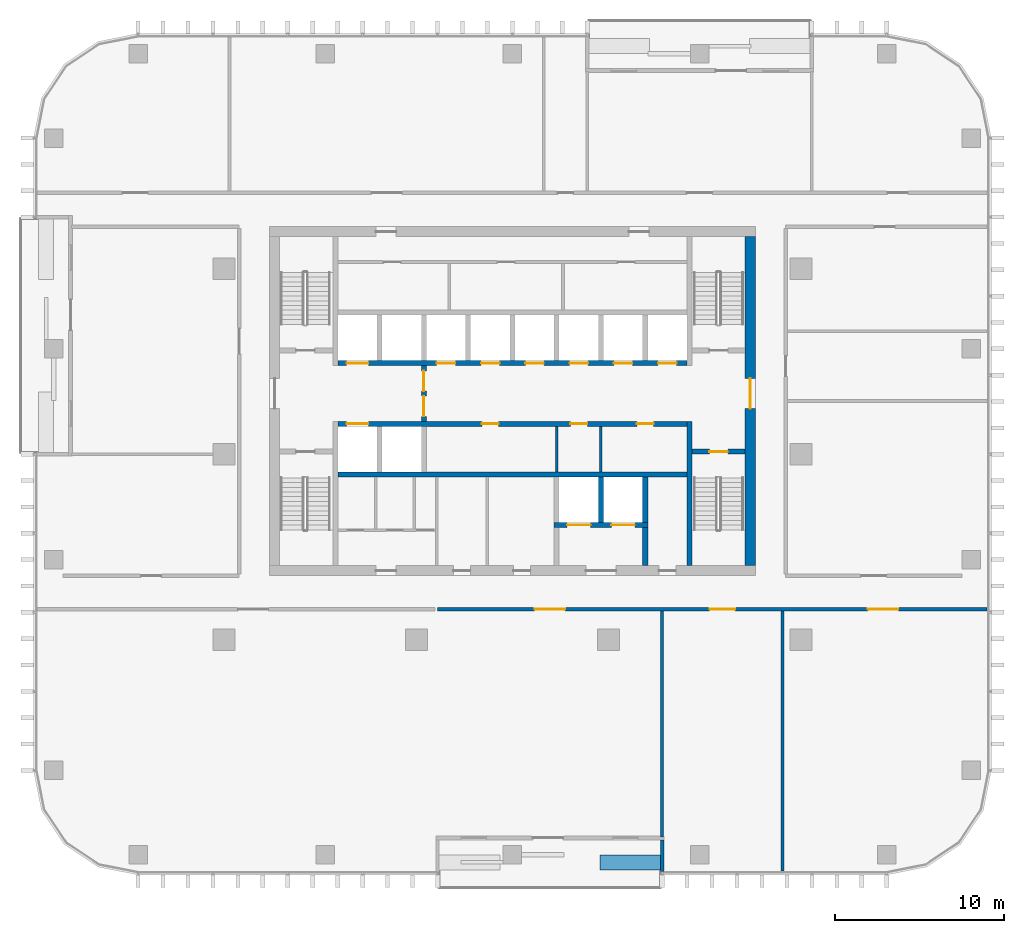
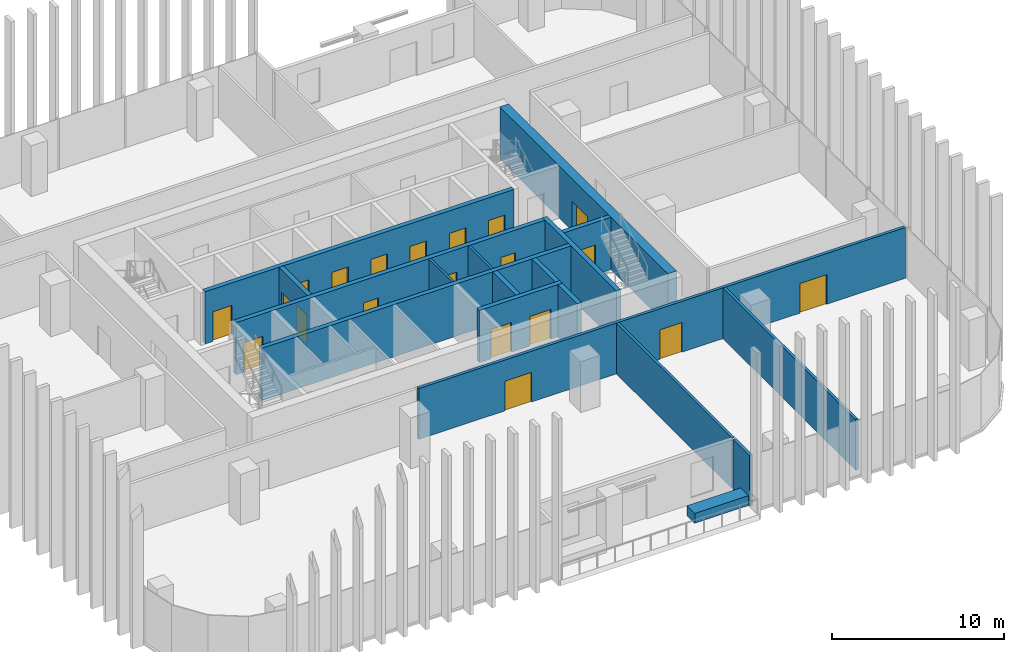
# One storey, part 8 of 16: 20 doors, 18 walls, 20 openings.
"""IFC4 building model written with IfcOpenShell, lengths in metres."""

from ifc_helpers import new_model, si_unit, direction, frame, frame_2d, origin, place, context, subcontext, project, spatial, rectangle, extrude, material, layer, layer_set, type_object, element, fill, save


model = new_model("IFC4")

# Units and contexts
model_context = context("Model", 3, precision=1e-05, world=origin(), true_north=direction((0.0, 1.0)))
body_context = subcontext(model_context, "Body", "Model", "MODEL_VIEW")
ifc_project = project(units=[si_unit("LENGTHUNIT", "METRE"), si_unit("AREAUNIT", "SQUARE_METRE"), si_unit("VOLUMEUNIT", "CUBIC_METRE"), si_unit("PLANEANGLEUNIT", "RADIAN"), si_unit("MASSUNIT", "GRAM", prefix="KILO")], contexts=[model_context])

# Site, building, storey
site_placement = place(None, origin())
site = spatial("IfcSite", under=ifc_project, at=site_placement, CompositionType="ELEMENT")
building_placement = place(site_placement, origin())
building = spatial("IfcBuilding", under=site, at=building_placement, Name="Mopane Tessera Tower", CompositionType="ELEMENT")
storey_placement = place(building_placement, frame((0.0, 0.0, 247.0)))
storey = spatial("IfcBuildingStorey", under=building, at=storey_placement, Name="L53", CompositionType="ELEMENT", Elevation=247.0)

# Walls
ifc_material_1 = material(Name="Fire-rated gypsum board partition")
ifc_layer_1 = layer(ifc_material_1, 0.14990234375)
ifc_layer_set_1 = layer_set([ifc_layer_1], Name="Fire-rated gypsum board partition")
wall_type_1 = type_object("IfcWallType", Name="Core room partition 150 mm", PredefinedType="PARTITIONING", material=ifc_layer_set_1)
for number, where, z_axis, x_axis, name in (
    (1, (2.625, -1.050048828125, 0.0), (0.0, 0.0, 1.0), (0.0, 1.0, 0.0), "L53 Room partition"),
    (2, (5.25, -1.050048828125, 0.0), (0.0, 0.0, 1.0), (0.0, 1.0, 0.0), "L53 Room partition"),
):
    element("IfcWall", number, at=place(storey_placement, frame(where, z_axis=z_axis, x_axis=x_axis)), inside=storey, type_object=wall_type_1, Name=name, PredefinedType="PARTITIONING", context=body_context, shape_type="SweptSolid", body=[
        extrude(rectangle(XDim=2.699951171875, YDim=0.14990234375, at=frame_2d((1.35009765625, 0.0))), origin(), (0.0, 0.0, 1.0), 3.699951171875),
    ])

# Wall, opening, door
ifc_material_2 = material(Name="Concrete C70/85", Category="concrete")
ifc_layer_2 = layer(ifc_material_2, 0.60009765625)
ifc_layer_set_2 = layer_set([ifc_layer_2], Name="Concrete C70/85")
wall_type_2 = type_object("IfcWallType", Name="Core shear wall 600 mm", PredefinedType="SHEAR", material=ifc_layer_set_2)
wall_1_placement = place(storey_placement, frame((14.10009765625, -6.60009765625, 0.0), z_axis=(0.0, 0.0, 1.0), x_axis=(0.0, 1.0, 0.0)))
wall_1 = element("IfcWall", 3, at=wall_1_placement, inside=storey, type_object=wall_type_2, Name="L53 Core wall east", PredefinedType="SHEAR", context=body_context, shape_type="SweptSolid", body=[
    extrude(rectangle(XDim=19.5, YDim=0.60009765625, at=frame_2d((9.75, 0.0))), origin(), (0.0, 0.0, 1.0), 3.699951171875),
])
opening_1_placement = place(wall_1_placement, frame((9.300048828125, 0.0, 0.0)))
opening_1 = element("IfcOpeningElement", 4, at=opening_1_placement, cuts=wall_1, Name="Opening SD2", PredefinedType="OPENING", context=body_context, shape_type="SweptSolid", body=[
    extrude(rectangle(XDim=1.800048828125, YDim=2.10009765625, at=frame_2d((0.89990234375, 1.050048828125))), frame((0.0, 0.31201171875, 0.0), z_axis=(0.0, -1.0, 0.0), x_axis=(1.0, 0.0, 0.0)), (0.0, 0.0, 1.0), 0.6240234375),
])
ifc_material_3 = material(Name="Steel fire door", Category="steel")
door_type_1 = type_object("IfcDoorType", Name="Core entrance double door 1800 x 2100", OperationType="DOUBLE_DOOR_SINGLE_SWING", PredefinedType="DOOR", material=ifc_material_3)
door_1_placement = place(opening_1_placement, origin())
door_1 = element("IfcDoor", 5, at=door_1_placement, inside=storey, type_object=door_type_1, Name="L53 Core entrance door east", OperationType="DOUBLE_DOOR_SINGLE_SWING", OverallHeight=2.10009765625, OverallWidth=1.800048828125, PredefinedType="DOOR", context=body_context, shape_type="SweptSolid", body=[
    extrude(rectangle(XDim=1.800048828125, YDim=2.10009765625, at=frame_2d((0.89990234375, 1.050048828125))), frame((0.0, 0.02490234375, 0.0), z_axis=(0.0, -1.0, 0.0), x_axis=(1.0, 0.0, 0.0)), (0.0, 0.0, 1.0), 0.050048828125),
])
fill(opening_1, door_1)

# Walls
ifc_material_4 = material(Name="Concrete C60/75", Category="concrete")
ifc_layer_3 = layer(ifc_material_4, 0.300048828125)
ifc_layer_set_3 = layer_set([ifc_layer_3], Name="Concrete C60/75")
wall_type_3 = type_object("IfcWallType", Name="Core spine wall 300 mm", PredefinedType="SHEAR", material=ifc_layer_set_3)
wall_2_placement = place(storey_placement, frame((10.5, -6.60009765625, 0.0), z_axis=(0.0, 0.0, 1.0), x_axis=(0.0, 1.0, 0.0)))
element("IfcWall", 6, at=wall_2_placement, inside=storey, type_object=wall_type_3, Name="L53 Core spine wall", PredefinedType="SHEAR", context=body_context, shape_type="SweptSolid", body=[
    extrude(rectangle(XDim=8.550048828125, YDim=0.300048828125, at=frame_2d((4.27490234375, 0.0))), origin(), (0.0, 0.0, 1.0), 3.699951171875),
])
ifc_material_5 = material(Name="Gypsum board on staggered steel studs, double layer each face, acoustic mineral wool infill", Category="steel")
ifc_layer_4 = layer(ifc_material_5, 0.175048828125)
ifc_layer_set_4 = layer_set([ifc_layer_4], Name="Gypsum board on staggered steel studs, double layer each face, acoustic mineral wool infill")
wall_type_4 = type_object("IfcWallType", Name="Gypsum board acoustic partition 175, rated EI 60", PredefinedType="PARTITIONING", material=ifc_layer_set_4)
wall_3_placement = place(storey_placement, frame((8.8798828125, -22.699951171875, 0.0), z_axis=(0.0, 0.0, 1.0), x_axis=(0.0, 1.0, 0.0)))
element("IfcWall", 7, at=wall_3_placement, inside=storey, type_object=wall_type_4, Name="Partition L53:014", PredefinedType="PARTITIONING", context=body_context, shape_type="SweptSolid", body=[
    extrude(rectangle(XDim=13.39990234375, YDim=0.175048828125, at=frame_2d((6.699951171875, 0.0))), origin(), (0.0, 0.0, 1.0), 3.60009765625),
])
wall_4_placement = place(storey_placement, frame((16.02001953125, -24.699951171875, 0.0), z_axis=(0.0, 0.0, 1.0), x_axis=(0.0, 1.0, 0.0)))
element("IfcWall", 8, at=wall_4_placement, inside=storey, type_object=wall_type_4, Name="Partition L53:015", PredefinedType="PARTITIONING", context=body_context, shape_type="SweptSolid", body=[
    extrude(rectangle(XDim=15.39990234375, YDim=0.175048828125, at=frame_2d((7.699951171875, 0.0))), origin(), (0.0, 0.0, 1.0), 3.60009765625),
])

# Wall, openings, doors
ifc_material_6 = material(Name="Gypsum board on steel studs, two layers each face, mineral wool infill", Category="steel")
ifc_layer_5 = layer(ifc_material_6, 0.199951171875)
ifc_layer_set_5 = layer_set([ifc_layer_5], Name="Gypsum board on steel studs, two layers each face, mineral wool infill")
wall_type_5 = type_object("IfcWallType", Name="Gypsum board corridor wall 200, rated EI 60", PredefinedType="PARTITIONING", material=ifc_layer_set_5)
wall_5_placement = place(storey_placement, frame((-4.43994140625, -9.199951171875, 0.0), z_axis=(0.0, 0.0, 1.0), x_axis=(1.0, 0.0, 0.0)))
wall_5 = element("IfcWall", 9, at=wall_5_placement, inside=storey, type_object=wall_type_5, Name="Partition L53:001", PredefinedType="PARTITIONING", context=body_context, shape_type="SweptSolid", body=[
    extrude(rectangle(XDim=32.58984375, YDim=0.199951171875, at=frame_2d((16.294921875, 0.0))), origin(), (0.0, 0.0, 1.0), 3.60009765625),
])
opening_2_placement = place(wall_5_placement, frame((25.52490234375, 0.0, 0.0)))
opening_2 = element("IfcOpeningElement", 10, at=opening_2_placement, cuts=wall_5, Name="Opening L53-02", PredefinedType="OPENING", context=body_context, shape_type="SweptSolid", body=[
    extrude(rectangle(XDim=1.800048828125, YDim=2.10009765625, at=frame_2d((0.89990234375, 1.050048828125))), frame((0.0, 0.112060546875, 0.0), z_axis=(0.0, -1.0, 0.0), x_axis=(1.0, 0.0, 0.0)), (0.0, 0.0, 1.0), 0.223876953125),
])
opening_3_placement = place(wall_5_placement, frame((5.760009765625, 0.0, 0.0)))
opening_3 = element("IfcOpeningElement", 11, at=opening_3_placement, cuts=wall_5, Name="Opening L53-04", PredefinedType="OPENING", context=body_context, shape_type="SweptSolid", body=[
    extrude(rectangle(XDim=1.800048828125, YDim=2.10009765625, at=frame_2d((0.89990234375, 1.050048828125))), frame((0.0, 0.112060546875, 0.0), z_axis=(0.0, -1.0, 0.0), x_axis=(1.0, 0.0, 0.0)), (0.0, 0.0, 1.0), 0.223876953125),
])
opening_4_placement = place(wall_5_placement, frame((16.139892578125, 0.0, 0.0)))
opening_4 = element("IfcOpeningElement", 12, at=opening_4_placement, cuts=wall_5, Name="Opening L53-13", PredefinedType="OPENING", context=body_context, shape_type="SweptSolid", body=[
    extrude(rectangle(XDim=1.5, YDim=2.10009765625, at=frame_2d((0.75, 1.050048828125))), frame((0.0, 0.112060546875, 0.0), z_axis=(0.0, -1.0, 0.0), x_axis=(1.0, 0.0, 0.0)), (0.0, 0.0, 1.0), 0.223876953125),
])
ifc_material_7 = material(Name="Timber veneered steel-framed fire door", Category="steel")
door_type_2 = type_object("IfcDoorType", Name="Fire door pair FD60 1500 x 2100", OperationType="DOUBLE_DOOR_SINGLE_SWING", PredefinedType="DOOR", material=ifc_material_7)
door_2_placement = place(opening_4_placement, origin())
door_2 = element("IfcDoor", 13, at=door_2_placement, inside=storey, type_object=door_type_2, Name="Door L53-13", ObjectType="D17A", OperationType="DOUBLE_DOOR_SINGLE_SWING", OverallHeight=2.10009765625, OverallWidth=1.5, PredefinedType="DOOR", context=body_context, shape_type="SweptSolid", body=[
    extrude(rectangle(XDim=1.5, YDim=2.10009765625, at=frame_2d((0.75, 1.050048828125))), frame((0.0, 0.02490234375, 0.0), z_axis=(0.0, -1.0, 0.0), x_axis=(1.0, 0.0, 0.0)), (0.0, 0.0, 1.0), 0.050048828125),
])
fill(opening_4, door_2)
ifc_material_8 = material(Name="Timber veneered steel-framed fire door", Category="steel")
door_type_3 = type_object("IfcDoorType", Name="Fire door pair FD60 1800 x 2100", OperationType="DOUBLE_DOOR_SINGLE_SWING", PredefinedType="DOOR", material=ifc_material_8)
door_3_placement = place(opening_2_placement, origin())
door_3 = element("IfcDoor", 14, at=door_3_placement, inside=storey, type_object=door_type_3, Name="Door L53-02", ObjectType="D20A", OperationType="DOUBLE_DOOR_SINGLE_SWING", OverallHeight=2.10009765625, OverallWidth=1.800048828125, PredefinedType="DOOR", context=body_context, shape_type="SweptSolid", body=[
    extrude(rectangle(XDim=1.800048828125, YDim=2.10009765625, at=frame_2d((0.89990234375, 1.050048828125))), frame((0.0, 0.02490234375, 0.0), z_axis=(0.0, -1.0, 0.0), x_axis=(1.0, 0.0, 0.0)), (0.0, 0.0, 1.0), 0.050048828125),
])
fill(opening_2, door_3)
door_4_placement = place(opening_3_placement, origin())
door_4 = element("IfcDoor", 15, at=door_4_placement, inside=storey, type_object=door_type_3, Name="Door L53-04", ObjectType="D20A", OperationType="DOUBLE_DOOR_SINGLE_SWING", OverallHeight=2.10009765625, OverallWidth=1.800048828125, PredefinedType="DOOR", context=body_context, shape_type="SweptSolid", body=[
    extrude(rectangle(XDim=1.800048828125, YDim=2.10009765625, at=frame_2d((0.89990234375, 1.050048828125))), frame((0.0, 0.02490234375, 0.0), z_axis=(0.0, -1.0, 0.0), x_axis=(1.0, 0.0, 0.0)), (0.0, 0.0, 1.0), 0.050048828125),
])
fill(opening_3, door_4)

# Wall, opening, door
ifc_material_9 = material(Name="Concrete C50/60", Category="concrete")
ifc_layer_6 = layer(ifc_material_9, 0.300048828125)
ifc_layer_set_6 = layer_set([ifc_layer_6], Name="Concrete C50/60")
wall_type_6 = type_object("IfcWallType", Name="Lift and stair shaft wall 300 mm", PredefinedType="SOLIDWALL", material=ifc_layer_set_6)
wall_6_placement = place(storey_placement, frame((10.64990234375, 0.14990234375, 0.0), z_axis=(0.0, 0.0, 1.0), x_axis=(1.0, 0.0, 0.0)))
wall_6 = element("IfcWall", 16, at=wall_6_placement, inside=storey, type_object=wall_type_6, Name="L53 Stair enclosure wall", PredefinedType="SOLIDWALL", context=body_context, shape_type="SweptSolid", body=[
    extrude(rectangle(XDim=3.150146484375, YDim=0.300048828125, at=frame_2d((1.5751953125, 0.0))), origin(), (0.0, 0.0, 1.0), 3.699951171875),
])
opening_5_placement = place(wall_6_placement, frame((1.02490234375, 0.0, 0.0)))
opening_5 = element("IfcOpeningElement", 17, at=opening_5_placement, cuts=wall_6, Name="Opening SD1", PredefinedType="OPENING", context=body_context, shape_type="SweptSolid", body=[
    extrude(rectangle(XDim=1.10009765625, YDim=2.10009765625, at=frame_2d((0.550048828125, 1.050048828125))), frame((0.0, 0.162109375, 0.0), z_axis=(0.0, -1.0, 0.0), x_axis=(1.0, 0.0, 0.0)), (0.0, 0.0, 1.0), 0.323974609375),
])
ifc_material_10 = material(Name="Steel fire door", Category="steel")
door_type_4 = type_object("IfcDoorType", Name="Stair fire door 1100 x 2100", OperationType="SINGLE_SWING_LEFT", PredefinedType="DOOR", material=ifc_material_10)
door_5_placement = place(opening_5_placement, origin())
door_5 = element("IfcDoor", 18, at=door_5_placement, inside=storey, type_object=door_type_4, Name="L53 Stair door ST3", OperationType="SINGLE_SWING_RIGHT", OverallHeight=2.10009765625, OverallWidth=1.10009765625, PredefinedType="DOOR", context=body_context, shape_type="SweptSolid", body=[
    extrude(rectangle(XDim=1.10009765625, YDim=2.10009765625, at=frame_2d((0.550048828125, 1.050048828125))), frame((0.0, 0.02490234375, 0.0), z_axis=(0.0, -1.0, 0.0), x_axis=(1.0, 0.0, 0.0)), (0.0, 0.0, 1.0), 0.050048828125),
])
fill(opening_5, door_5)

# Wall
wall_7_placement = place(storey_placement, frame((-10.35009765625, -1.199951171875, 0.0), z_axis=(0.0, 0.0, 1.0), x_axis=(1.0, 0.0, 0.0)))
element("IfcWall", 19, at=wall_7_placement, inside=storey, type_object=wall_type_6, Name="L53 Lift shaft rear wall", PredefinedType="SOLIDWALL", context=body_context, shape_type="SweptSolid", body=[
    extrude(rectangle(XDim=20.7001953125, YDim=0.300048828125, at=frame_2d((10.35009765625, 0.0))), origin(), (0.0, 0.0, 1.0), 3.699951171875),
])

# Wall, openings, doors
wall_8_placement = place(storey_placement, frame((-10.35009765625, 1.800048828125, 0.0), z_axis=(0.0, 0.0, 1.0), x_axis=(1.0, 0.0, 0.0)))
wall_8 = element("IfcWall", 20, at=wall_8_placement, inside=storey, type_object=wall_type_6, Name="L53 Lift shaft front wall", PredefinedType="SOLIDWALL", context=body_context, shape_type="SweptSolid", body=[
    extrude(rectangle(XDim=20.7001953125, YDim=0.300048828125, at=frame_2d((10.35009765625, 0.0))), origin(), (0.0, 0.0, 1.0), 3.699951171875),
])
opening_6_placement = place(wall_8_placement, frame((0.512451171875, 0.0, 0.0)))
opening_6 = element("IfcOpeningElement", 21, at=opening_6_placement, cuts=wall_8, Name="Opening LD2", PredefinedType="OPENING", context=body_context, shape_type="SweptSolid", body=[
    extrude(rectangle(XDim=1.300048828125, YDim=2.10009765625, at=frame_2d((0.64990234375, 1.050048828125))), frame((0.0, 0.162109375, 0.0), z_axis=(0.0, -1.0, 0.0), x_axis=(1.0, 0.0, 0.0)), (0.0, 0.0, 1.0), 0.323974609375),
])
opening_7_placement = place(wall_8_placement, frame((8.53759765625, 0.0, 0.0)))
opening_7 = element("IfcOpeningElement", 22, at=opening_7_placement, cuts=wall_8, Name="Opening RD1", PredefinedType="OPENING", context=body_context, shape_type="SweptSolid", body=[
    extrude(rectangle(XDim=1.0, YDim=2.10009765625, at=frame_2d((0.5, 1.050048828125))), frame((0.0, 0.162109375, 0.0), z_axis=(0.0, -1.0, 0.0), x_axis=(1.0, 0.0, 0.0)), (0.0, 0.0, 1.0), 0.323974609375),
])
opening_8_placement = place(wall_8_placement, frame((13.78759765625, 0.0, 0.0)))
opening_8 = element("IfcOpeningElement", 23, at=opening_8_placement, cuts=wall_8, Name="Opening RD1", PredefinedType="OPENING", context=body_context, shape_type="SweptSolid", body=[
    extrude(rectangle(XDim=1.0, YDim=2.10009765625, at=frame_2d((0.5, 1.050048828125))), frame((0.0, 0.162109375, 0.0), z_axis=(0.0, -1.0, 0.0), x_axis=(1.0, 0.0, 0.0)), (0.0, 0.0, 1.0), 0.323974609375),
])
opening_9_placement = place(wall_8_placement, frame((17.72509765625, 0.0, 0.0)))
opening_9 = element("IfcOpeningElement", 24, at=opening_9_placement, cuts=wall_8, Name="Opening RD1", PredefinedType="OPENING", context=body_context, shape_type="SweptSolid", body=[
    extrude(rectangle(XDim=1.0, YDim=2.10009765625, at=frame_2d((0.5, 1.050048828125))), frame((0.0, 0.162109375, 0.0), z_axis=(0.0, -1.0, 0.0), x_axis=(1.0, 0.0, 0.0)), (0.0, 0.0, 1.0), 0.323974609375),
])
ifc_material_11 = material(Name="Timber door", Category="wood")
door_type_5 = type_object("IfcDoorType", Name="Core room door 1000 x 2100", OperationType="SINGLE_SWING_LEFT", PredefinedType="DOOR", material=ifc_material_11)
door_6_placement = place(opening_7_placement, origin())
door_6 = element("IfcDoor", 25, at=door_6_placement, inside=storey, type_object=door_type_5, Name="L53 Room door", OperationType="SINGLE_SWING_LEFT", OverallHeight=2.10009765625, OverallWidth=1.0, PredefinedType="DOOR", context=body_context, shape_type="SweptSolid", body=[
    extrude(rectangle(XDim=1.0, YDim=2.10009765625, at=frame_2d((0.5, 1.050048828125))), frame((0.0, 0.02490234375, 0.0), z_axis=(0.0, -1.0, 0.0), x_axis=(1.0, 0.0, 0.0)), (0.0, 0.0, 1.0), 0.050048828125),
])
fill(opening_7, door_6)
door_7_placement = place(opening_8_placement, origin())
door_7 = element("IfcDoor", 26, at=door_7_placement, inside=storey, type_object=door_type_5, Name="L53 Room door", OperationType="SINGLE_SWING_LEFT", OverallHeight=2.10009765625, OverallWidth=1.0, PredefinedType="DOOR", context=body_context, shape_type="SweptSolid", body=[
    extrude(rectangle(XDim=1.0, YDim=2.10009765625, at=frame_2d((0.5, 1.050048828125))), frame((0.0, 0.02490234375, 0.0), z_axis=(0.0, -1.0, 0.0), x_axis=(1.0, 0.0, 0.0)), (0.0, 0.0, 1.0), 0.050048828125),
])
fill(opening_8, door_7)
door_8_placement = place(opening_9_placement, origin())
door_8 = element("IfcDoor", 27, at=door_8_placement, inside=storey, type_object=door_type_5, Name="L53 Room door", OperationType="SINGLE_SWING_LEFT", OverallHeight=2.10009765625, OverallWidth=1.0, PredefinedType="DOOR", context=body_context, shape_type="SweptSolid", body=[
    extrude(rectangle(XDim=1.0, YDim=2.10009765625, at=frame_2d((0.5, 1.050048828125))), frame((0.0, 0.02490234375, 0.0), z_axis=(0.0, -1.0, 0.0), x_axis=(1.0, 0.0, 0.0)), (0.0, 0.0, 1.0), 0.050048828125),
])
fill(opening_9, door_8)
ifc_material_12 = material(Name="Stainless steel sliding door", Category="steel")
door_type_6 = type_object("IfcDoorType", Name="Fire-fighting lift landing door 1300 x 2100", OperationType="DOUBLE_DOOR_SLIDING", PredefinedType="DOOR", material=ifc_material_12)
door_9_placement = place(opening_6_placement, origin())
door_9 = element("IfcDoor", 28, at=door_9_placement, inside=storey, type_object=door_type_6, Name="L53 Lift landing door FF1", OperationType="DOUBLE_DOOR_SLIDING", OverallHeight=2.10009765625, OverallWidth=1.300048828125, PredefinedType="DOOR", context=body_context, shape_type="SweptSolid", body=[
    extrude(rectangle(XDim=1.300048828125, YDim=2.10009765625, at=frame_2d((0.64990234375, 1.050048828125))), frame((0.0, 0.02490234375, 0.0), z_axis=(0.0, -1.0, 0.0), x_axis=(1.0, 0.0, 0.0)), (0.0, 0.0, 1.0), 0.050048828125),
])
fill(opening_6, door_9)

wall_9_placement = place(storey_placement, frame((-10.35009765625, 5.39990234375, 0.0), z_axis=(0.0, 0.0, 1.0), x_axis=(1.0, 0.0, 0.0)))
wall_9 = element("IfcWall", 29, at=wall_9_placement, inside=storey, type_object=wall_type_6, Name="L53 Lift shaft front wall", PredefinedType="SOLIDWALL", context=body_context, shape_type="SweptSolid", body=[
    extrude(rectangle(XDim=20.7001953125, YDim=0.300048828125, at=frame_2d((10.35009765625, 0.0))), origin(), (0.0, 0.0, 1.0), 3.699951171875),
])
opening_10_placement = place(wall_9_placement, frame((0.512451171875, 0.0, 0.0)))
opening_10 = element("IfcOpeningElement", 30, at=opening_10_placement, cuts=wall_9, Name="Opening LD2", PredefinedType="OPENING", context=body_context, shape_type="SweptSolid", body=[
    extrude(rectangle(XDim=1.300048828125, YDim=2.10009765625, at=frame_2d((0.64990234375, 1.050048828125))), frame((0.0, 0.162109375, 0.0), z_axis=(0.0, -1.0, 0.0), x_axis=(1.0, 0.0, 0.0)), (0.0, 0.0, 1.0), 0.323974609375),
])
opening_11_placement = place(wall_9_placement, frame((5.862548828125, 0.0, 0.0)))
opening_11 = element("IfcOpeningElement", 31, at=opening_11_placement, cuts=wall_9, Name="Opening LD", PredefinedType="OPENING", context=body_context, shape_type="SweptSolid", body=[
    extrude(rectangle(XDim=1.10009765625, YDim=2.10009765625, at=frame_2d((0.550048828125, 1.050048828125))), frame((0.0, 0.162109375, 0.0), z_axis=(0.0, -1.0, 0.0), x_axis=(1.0, 0.0, 0.0)), (0.0, 0.0, 1.0), 0.323974609375),
])
opening_12_placement = place(wall_9_placement, frame((8.487548828125, 0.0, 0.0)))
opening_12 = element("IfcOpeningElement", 32, at=opening_12_placement, cuts=wall_9, Name="Opening LD", PredefinedType="OPENING", context=body_context, shape_type="SweptSolid", body=[
    extrude(rectangle(XDim=1.10009765625, YDim=2.10009765625, at=frame_2d((0.550048828125, 1.050048828125))), frame((0.0, 0.162109375, 0.0), z_axis=(0.0, -1.0, 0.0), x_axis=(1.0, 0.0, 0.0)), (0.0, 0.0, 1.0), 0.323974609375),
])
opening_13_placement = place(wall_9_placement, frame((11.112548828125, 0.0, 0.0)))
opening_13 = element("IfcOpeningElement", 33, at=opening_13_placement, cuts=wall_9, Name="Opening LD", PredefinedType="OPENING", context=body_context, shape_type="SweptSolid", body=[
    extrude(rectangle(XDim=1.10009765625, YDim=2.10009765625, at=frame_2d((0.550048828125, 1.050048828125))), frame((0.0, 0.162109375, 0.0), z_axis=(0.0, -1.0, 0.0), x_axis=(1.0, 0.0, 0.0)), (0.0, 0.0, 1.0), 0.323974609375),
])
opening_14_placement = place(wall_9_placement, frame((13.737548828125, 0.0, 0.0)))
opening_14 = element("IfcOpeningElement", 34, at=opening_14_placement, cuts=wall_9, Name="Opening LD", PredefinedType="OPENING", context=body_context, shape_type="SweptSolid", body=[
    extrude(rectangle(XDim=1.10009765625, YDim=2.10009765625, at=frame_2d((0.550048828125, 1.050048828125))), frame((0.0, 0.162109375, 0.0), z_axis=(0.0, -1.0, 0.0), x_axis=(1.0, 0.0, 0.0)), (0.0, 0.0, 1.0), 0.323974609375),
])
opening_15_placement = place(wall_9_placement, frame((16.362548828125, 0.0, 0.0)))
opening_15 = element("IfcOpeningElement", 35, at=opening_15_placement, cuts=wall_9, Name="Opening LD", PredefinedType="OPENING", context=body_context, shape_type="SweptSolid", body=[
    extrude(rectangle(XDim=1.10009765625, YDim=2.10009765625, at=frame_2d((0.550048828125, 1.050048828125))), frame((0.0, 0.162109375, 0.0), z_axis=(0.0, -1.0, 0.0), x_axis=(1.0, 0.0, 0.0)), (0.0, 0.0, 1.0), 0.323974609375),
])
opening_16_placement = place(wall_9_placement, frame((18.987548828125, 0.0, 0.0)))
opening_16 = element("IfcOpeningElement", 36, at=opening_16_placement, cuts=wall_9, Name="Opening LD", PredefinedType="OPENING", context=body_context, shape_type="SweptSolid", body=[
    extrude(rectangle(XDim=1.10009765625, YDim=2.10009765625, at=frame_2d((0.550048828125, 1.050048828125))), frame((0.0, 0.162109375, 0.0), z_axis=(0.0, -1.0, 0.0), x_axis=(1.0, 0.0, 0.0)), (0.0, 0.0, 1.0), 0.323974609375),
])
door_10_placement = place(opening_10_placement, origin())
door_10 = element("IfcDoor", 37, at=door_10_placement, inside=storey, type_object=door_type_6, Name="L53 Lift landing door FF2", OperationType="DOUBLE_DOOR_SLIDING", OverallHeight=2.10009765625, OverallWidth=1.300048828125, PredefinedType="DOOR", context=body_context, shape_type="SweptSolid", body=[
    extrude(rectangle(XDim=1.300048828125, YDim=2.10009765625, at=frame_2d((0.64990234375, 1.050048828125))), frame((0.0, 0.02490234375, 0.0), z_axis=(0.0, -1.0, 0.0), x_axis=(1.0, 0.0, 0.0)), (0.0, 0.0, 1.0), 0.050048828125),
])
fill(opening_10, door_10)
ifc_material_13 = material(Name="Stainless steel sliding door", Category="steel")
door_type_7 = type_object("IfcDoorType", Name="Lift landing door 1100 x 2100", OperationType="DOUBLE_DOOR_SLIDING", PredefinedType="DOOR", material=ifc_material_13)
door_11_placement = place(opening_11_placement, origin())
door_11 = element("IfcDoor", 38, at=door_11_placement, inside=storey, type_object=door_type_7, Name="L53 Lift landing door HR1", OperationType="DOUBLE_DOOR_SLIDING", OverallHeight=2.10009765625, OverallWidth=1.10009765625, PredefinedType="DOOR", context=body_context, shape_type="SweptSolid", body=[
    extrude(rectangle(XDim=1.10009765625, YDim=2.10009765625, at=frame_2d((0.550048828125, 1.050048828125))), frame((0.0, 0.02490234375, 0.0), z_axis=(0.0, -1.0, 0.0), x_axis=(1.0, 0.0, 0.0)), (0.0, 0.0, 1.0), 0.050048828125),
])
fill(opening_11, door_11)
door_12_placement = place(opening_12_placement, origin())
door_12 = element("IfcDoor", 39, at=door_12_placement, inside=storey, type_object=door_type_7, Name="L53 Lift landing door HR2", OperationType="DOUBLE_DOOR_SLIDING", OverallHeight=2.10009765625, OverallWidth=1.10009765625, PredefinedType="DOOR", context=body_context, shape_type="SweptSolid", body=[
    extrude(rectangle(XDim=1.10009765625, YDim=2.10009765625, at=frame_2d((0.550048828125, 1.050048828125))), frame((0.0, 0.02490234375, 0.0), z_axis=(0.0, -1.0, 0.0), x_axis=(1.0, 0.0, 0.0)), (0.0, 0.0, 1.0), 0.050048828125),
])
fill(opening_12, door_12)
door_13_placement = place(opening_13_placement, origin())
door_13 = element("IfcDoor", 40, at=door_13_placement, inside=storey, type_object=door_type_7, Name="L53 Lift landing door HR3", OperationType="DOUBLE_DOOR_SLIDING", OverallHeight=2.10009765625, OverallWidth=1.10009765625, PredefinedType="DOOR", context=body_context, shape_type="SweptSolid", body=[
    extrude(rectangle(XDim=1.10009765625, YDim=2.10009765625, at=frame_2d((0.550048828125, 1.050048828125))), frame((0.0, 0.02490234375, 0.0), z_axis=(0.0, -1.0, 0.0), x_axis=(1.0, 0.0, 0.0)), (0.0, 0.0, 1.0), 0.050048828125),
])
fill(opening_13, door_13)
door_14_placement = place(opening_14_placement, origin())
door_14 = element("IfcDoor", 41, at=door_14_placement, inside=storey, type_object=door_type_7, Name="L53 Lift landing door HR4", OperationType="DOUBLE_DOOR_SLIDING", OverallHeight=2.10009765625, OverallWidth=1.10009765625, PredefinedType="DOOR", context=body_context, shape_type="SweptSolid", body=[
    extrude(rectangle(XDim=1.10009765625, YDim=2.10009765625, at=frame_2d((0.550048828125, 1.050048828125))), frame((0.0, 0.02490234375, 0.0), z_axis=(0.0, -1.0, 0.0), x_axis=(1.0, 0.0, 0.0)), (0.0, 0.0, 1.0), 0.050048828125),
])
fill(opening_14, door_14)
door_15_placement = place(opening_15_placement, origin())
door_15 = element("IfcDoor", 42, at=door_15_placement, inside=storey, type_object=door_type_7, Name="L53 Lift landing door HR5", OperationType="DOUBLE_DOOR_SLIDING", OverallHeight=2.10009765625, OverallWidth=1.10009765625, PredefinedType="DOOR", context=body_context, shape_type="SweptSolid", body=[
    extrude(rectangle(XDim=1.10009765625, YDim=2.10009765625, at=frame_2d((0.550048828125, 1.050048828125))), frame((0.0, 0.02490234375, 0.0), z_axis=(0.0, -1.0, 0.0), x_axis=(1.0, 0.0, 0.0)), (0.0, 0.0, 1.0), 0.050048828125),
])
fill(opening_15, door_15)
door_16_placement = place(opening_16_placement, origin())
door_16 = element("IfcDoor", 43, at=door_16_placement, inside=storey, type_object=door_type_7, Name="L53 Lift landing door HR6", OperationType="DOUBLE_DOOR_SLIDING", OverallHeight=2.10009765625, OverallWidth=1.10009765625, PredefinedType="DOOR", context=body_context, shape_type="SweptSolid", body=[
    extrude(rectangle(XDim=1.10009765625, YDim=2.10009765625, at=frame_2d((0.550048828125, 1.050048828125))), frame((0.0, 0.02490234375, 0.0), z_axis=(0.0, -1.0, 0.0), x_axis=(1.0, 0.0, 0.0)), (0.0, 0.0, 1.0), 0.050048828125),
])
fill(opening_16, door_16)

wall_10_placement = place(storey_placement, frame((2.47509765625, -4.199951171875, 0.0), z_axis=(0.0, 0.0, 1.0), x_axis=(1.0, 0.0, 0.0)))
wall_10 = element("IfcWall", 44, at=wall_10_placement, inside=storey, type_object=wall_type_6, Name="L53 Lift shaft front wall", PredefinedType="SOLIDWALL", context=body_context, shape_type="SweptSolid", body=[
    extrude(rectangle(XDim=5.5498046875, YDim=0.300048828125, at=frame_2d((2.77490234375, 0.0))), origin(), (0.0, 0.0, 1.0), 3.699951171875),
])
opening_17_placement = place(wall_10_placement, frame((0.762451171875, 0.0, 0.0)))
opening_17 = element("IfcOpeningElement", 45, at=opening_17_placement, cuts=wall_10, Name="Opening LD3", PredefinedType="OPENING", context=body_context, shape_type="SweptSolid", body=[
    extrude(rectangle(XDim=1.39990234375, YDim=2.10009765625, at=frame_2d((0.699951171875, 1.050048828125))), frame((0.0, 0.162109375, 0.0), z_axis=(0.0, -1.0, 0.0), x_axis=(1.0, 0.0, 0.0)), (0.0, 0.0, 1.0), 0.323974609375),
])
opening_18_placement = place(wall_10_placement, frame((3.387451171875, 0.0, 0.0)))
opening_18 = element("IfcOpeningElement", 46, at=opening_18_placement, cuts=wall_10, Name="Opening LD3", PredefinedType="OPENING", context=body_context, shape_type="SweptSolid", body=[
    extrude(rectangle(XDim=1.39990234375, YDim=2.10009765625, at=frame_2d((0.699951171875, 1.050048828125))), frame((0.0, 0.162109375, 0.0), z_axis=(0.0, -1.0, 0.0), x_axis=(1.0, 0.0, 0.0)), (0.0, 0.0, 1.0), 0.323974609375),
])
ifc_material_14 = material(Name="Stainless steel sliding door", Category="steel")
door_type_8 = type_object("IfcDoorType", Name="Service lift landing door 1400 x 2100", OperationType="DOUBLE_DOOR_SLIDING", PredefinedType="DOOR", material=ifc_material_14)
door_17_placement = place(opening_17_placement, origin())
door_17 = element("IfcDoor", 47, at=door_17_placement, inside=storey, type_object=door_type_8, Name="L53 Lift landing door SV1", OperationType="DOUBLE_DOOR_SLIDING", OverallHeight=2.10009765625, OverallWidth=1.39990234375, PredefinedType="DOOR", context=body_context, shape_type="SweptSolid", body=[
    extrude(rectangle(XDim=1.39990234375, YDim=2.10009765625, at=frame_2d((0.699951171875, 1.050048828125))), frame((0.0, 0.02490234375, 0.0), z_axis=(0.0, -1.0, 0.0), x_axis=(1.0, 0.0, 0.0)), (0.0, 0.0, 1.0), 0.050048828125),
])
fill(opening_17, door_17)
door_18_placement = place(opening_18_placement, origin())
door_18 = element("IfcDoor", 48, at=door_18_placement, inside=storey, type_object=door_type_8, Name="L53 Lift landing door SV2", OperationType="DOUBLE_DOOR_SLIDING", OverallHeight=2.10009765625, OverallWidth=1.39990234375, PredefinedType="DOOR", context=body_context, shape_type="SweptSolid", body=[
    extrude(rectangle(XDim=1.39990234375, YDim=2.10009765625, at=frame_2d((0.699951171875, 1.050048828125))), frame((0.0, 0.02490234375, 0.0), z_axis=(0.0, -1.0, 0.0), x_axis=(1.0, 0.0, 0.0)), (0.0, 0.0, 1.0), 0.050048828125),
])
fill(opening_18, door_18)

# Walls
for number, where, z_axis, x_axis, name in (
    (49, (5.25, -4.050048828125, 0.0), (0.0, 0.0, 1.0), (0.0, 1.0, 0.0), "L53 Lift shaft wall"),
    (50, (7.875, -4.050048828125, 0.0), (0.0, 0.0, 1.0), (0.0, 1.0, 0.0), "L53 Lift shaft wall"),
):
    element("IfcWall", number, at=place(storey_placement, frame(where, z_axis=z_axis, x_axis=x_axis)), inside=storey, type_object=wall_type_6, Name=name, PredefinedType="SOLIDWALL", context=body_context, shape_type="SweptSolid", body=[
        extrude(rectangle(XDim=2.699951171875, YDim=0.300048828125, at=frame_2d((1.35009765625, 0.0))), origin(), (0.0, 0.0, 1.0), 3.699951171875),
    ])

# Wall, openings, doors
ifc_material_15 = material(Name="Concrete C50/60", Category="concrete")
ifc_layer_7 = layer(ifc_material_15, 0.300048828125)
ifc_layer_set_7 = layer_set([ifc_layer_7], Name="Concrete C50/60")
wall_type_7 = type_object("IfcWallType", Name="Lobby and refuge room wall 300 mm", PredefinedType="SOLIDWALL", material=ifc_layer_set_7)
wall_11_placement = place(storey_placement, frame((-5.25, 1.949951171875, 0.0), z_axis=(0.0, 0.0, 1.0), x_axis=(0.0, 1.0, 0.0)))
wall_11 = element("IfcWall", 51, at=wall_11_placement, inside=storey, type_object=wall_type_7, Name="L53 Fire-fighting lobby wall", PredefinedType="SOLIDWALL", context=body_context, shape_type="SweptSolid", body=[
    extrude(rectangle(XDim=3.300048828125, YDim=0.300048828125, at=frame_2d((1.64990234375, 0.0))), origin(), (0.0, 0.0, 1.0), 3.699951171875),
])
opening_19_placement = place(wall_11_placement, frame((0.300048828125, 0.0, 0.0)))
opening_19 = element("IfcOpeningElement", 52, at=opening_19_placement, cuts=wall_11, Name="Opening SD3", PredefinedType="OPENING", context=body_context, shape_type="SweptSolid", body=[
    extrude(rectangle(XDim=1.199951171875, YDim=2.10009765625, at=frame_2d((0.60009765625, 1.050048828125))), frame((0.0, 0.162109375, 0.0), z_axis=(0.0, -1.0, 0.0), x_axis=(1.0, 0.0, 0.0)), (0.0, 0.0, 1.0), 0.323974609375),
])
opening_20_placement = place(wall_11_placement, frame((1.800048828125, 0.0, 0.0)))
opening_20 = element("IfcOpeningElement", 53, at=opening_20_placement, cuts=wall_11, Name="Opening SD3", PredefinedType="OPENING", context=body_context, shape_type="SweptSolid", body=[
    extrude(rectangle(XDim=1.199951171875, YDim=2.10009765625, at=frame_2d((0.60009765625, 1.050048828125))), frame((0.0, 0.162109375, 0.0), z_axis=(0.0, -1.0, 0.0), x_axis=(1.0, 0.0, 0.0)), (0.0, 0.0, 1.0), 0.323974609375),
])
ifc_material_16 = material(Name="Steel fire door", Category="steel")
door_type_9 = type_object("IfcDoorType", Name="Lobby fire door 1200 x 2100", OperationType="SINGLE_SWING_LEFT", PredefinedType="DOOR", material=ifc_material_16)
door_19_placement = place(opening_19_placement, origin())
door_19 = element("IfcDoor", 54, at=door_19_placement, inside=storey, type_object=door_type_9, Name="L53 Fire-fighting lobby door", OperationType="SINGLE_SWING_LEFT", OverallHeight=2.10009765625, OverallWidth=1.199951171875, PredefinedType="DOOR", context=body_context, shape_type="SweptSolid", body=[
    extrude(rectangle(XDim=1.199951171875, YDim=2.10009765625, at=frame_2d((0.60009765625, 1.050048828125))), frame((0.0, 0.02490234375, 0.0), z_axis=(0.0, -1.0, 0.0), x_axis=(1.0, 0.0, 0.0)), (0.0, 0.0, 1.0), 0.050048828125),
])
fill(opening_19, door_19)
door_20_placement = place(opening_20_placement, origin())
door_20 = element("IfcDoor", 55, at=door_20_placement, inside=storey, type_object=door_type_9, Name="L53 Fire-fighting lobby door", OperationType="SINGLE_SWING_RIGHT", OverallHeight=2.10009765625, OverallWidth=1.199951171875, PredefinedType="DOOR", context=body_context, shape_type="SweptSolid", body=[
    extrude(rectangle(XDim=1.199951171875, YDim=2.10009765625, at=frame_2d((0.60009765625, 1.050048828125))), frame((0.0, 0.02490234375, 0.0), z_axis=(0.0, -1.0, 0.0), x_axis=(1.0, 0.0, 0.0)), (0.0, 0.0, 1.0), 0.050048828125),
])
fill(opening_20, door_20)

# Walls
wall_12_placement = place(storey_placement, frame((7.875, -6.60009765625, 0.0), z_axis=(0.0, 0.0, 1.0), x_axis=(0.0, 1.0, 0.0)))
element("IfcWall", 56, at=wall_12_placement, inside=storey, type_object=wall_type_7, Name="L53 Service lobby wall", PredefinedType="SOLIDWALL", context=body_context, shape_type="SweptSolid", body=[
    extrude(rectangle(XDim=2.25, YDim=0.300048828125, at=frame_2d((1.125, 0.0))), origin(), (0.0, 0.0, 1.0), 3.699951171875),
])
ifc_material_17 = material(Name="Reinforced concrete C32/40 with waterproofing", Category="concrete")
ifc_layer_8 = layer(ifc_material_17, 0.89990234375)
ifc_layer_set_8 = layer_set([ifc_layer_8], Name="Reinforced concrete C32/40 with waterproofing")
wall_type_8 = type_object("IfcWallType", Name="Planter trough 3600 x 900", PredefinedType="STANDARD", material=ifc_layer_set_8)
wall_13_placement = place(storey_placement, frame((5.179931640625, -24.199951171875, 0.0), z_axis=(0.0, 0.0, 1.0), x_axis=(1.0, 0.0, 0.0)))
element("IfcWall", 57, at=wall_13_placement, inside=storey, type_object=wall_type_8, Name="e:nw:L53:N1:pl1", PredefinedType="STANDARD", context=body_context, shape_type="SweptSolid", body=[
    extrude(rectangle(XDim=3.60009765625, YDim=0.89990234375, at=frame_2d((1.800048828125, 0.0))), origin(), (0.0, 0.0, 1.0), 0.699951171875),
])
ifc_material_18 = material(Name="Blockwork with glazed tile facing", Category="masonry")
ifc_layer_9 = layer(ifc_material_18, 0.199951171875)
ifc_layer_set_9 = layer_set([ifc_layer_9], Name="Blockwork with glazed tile facing")
wall_type_9 = type_object("IfcWallType", Name="Terrace cheek wall 200", PredefinedType="STANDARD", material=ifc_layer_set_9)
wall_14_placement = place(storey_placement, frame((8.8798828125, -24.75, 0.0), z_axis=(0.0, 0.0, 1.0), x_axis=(0.0, 1.0, 0.0)))
element("IfcWall", 58, at=wall_14_placement, inside=storey, type_object=wall_type_9, Name="e:nw:L53:N1:cheekb", PredefinedType="STANDARD", context=body_context, shape_type="SweptSolid", body=[
    extrude(rectangle(XDim=1.875, YDim=0.199951171875, at=frame_2d((0.9375, 0.0))), origin(), (0.0, 0.0, 1.0), 3.60009765625),
])

save(model, "model.ifc")
